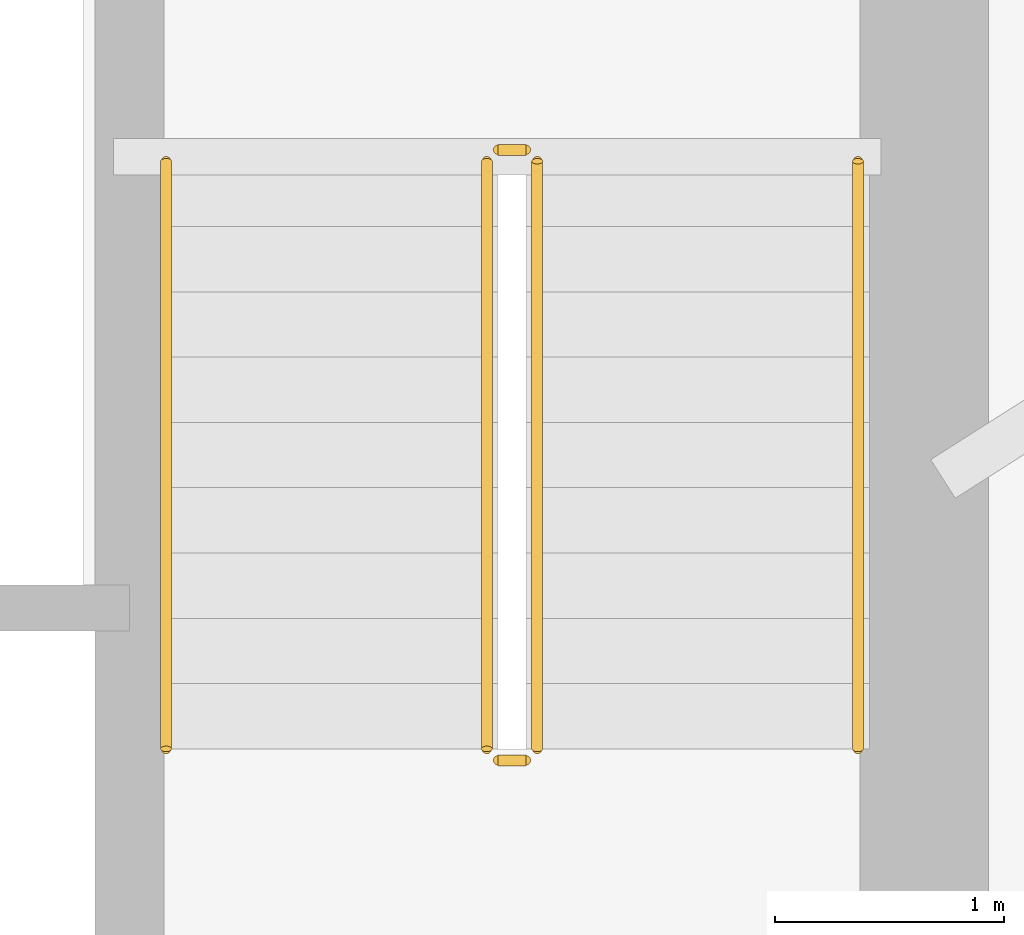
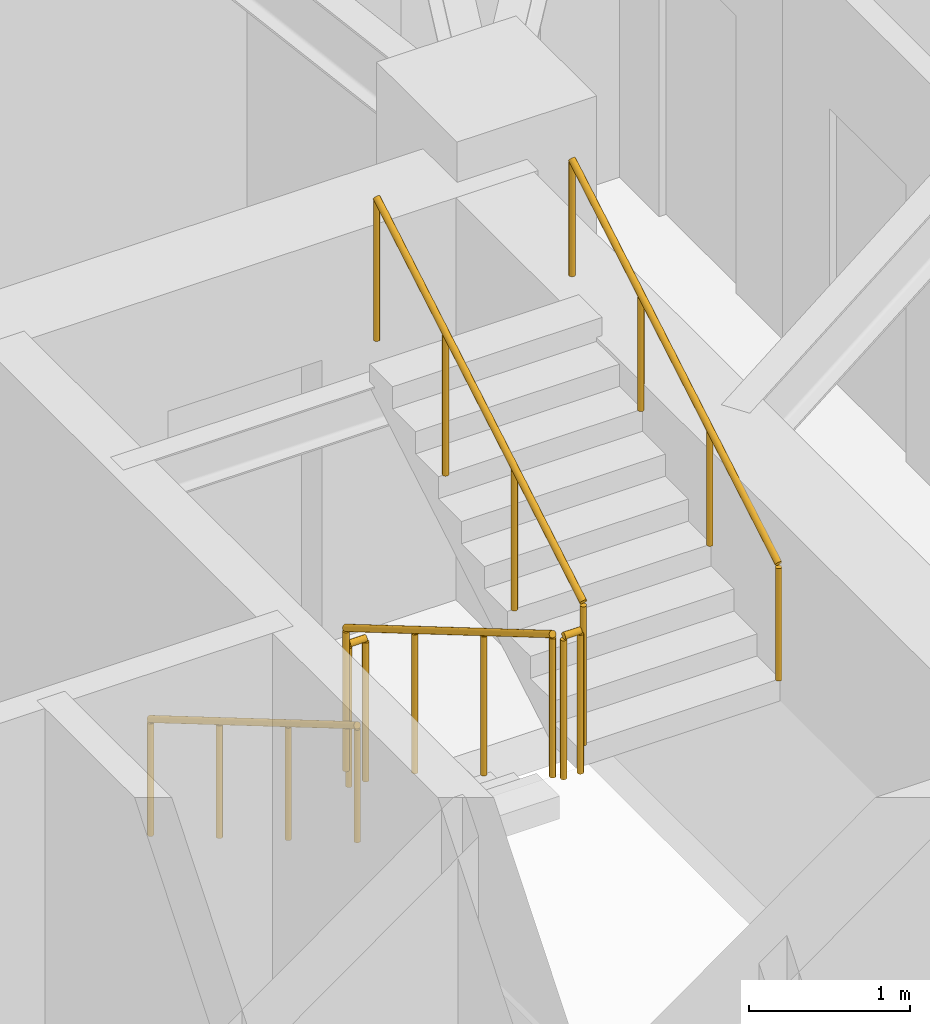
# One storey, part 19 of 19: 6 railings.
"""IFC4 building model written with IfcOpenShell, lengths in metres."""

from ifc_helpers import new_model, si_unit, direction, frame, origin, origin_2d, place, context, subcontext, project, spatial, circle, extrude, material, type_object, element, save


model = new_model("IFC4")

# Units and contexts
model_context = context("Model", 3, precision=1e-05, world=origin(), true_north=direction((0.0, 1.0)))
body_context = subcontext(model_context, "Body", "Model", "MODEL_VIEW")
ifc_project = project(units=[si_unit("LENGTHUNIT", "METRE"), si_unit("AREAUNIT", "SQUARE_METRE"), si_unit("VOLUMEUNIT", "CUBIC_METRE"), si_unit("PLANEANGLEUNIT", "RADIAN"), si_unit("MASSUNIT", "GRAM", prefix="KILO")], contexts=[model_context])

# Site, building, storey
site_placement = place(None, origin())
site = spatial("IfcSite", under=ifc_project, at=site_placement, CompositionType="ELEMENT")
building_placement = place(site_placement, origin())
building = spatial("IfcBuilding", under=site, at=building_placement, Name="Qobustan Lattice House", CompositionType="ELEMENT")
storey_placement = place(building_placement, frame((0.0, 0.0, 85.699951171875)))
storey = spatial("IfcBuildingStorey", under=building, at=storey_placement, Name="L23", CompositionType="ELEMENT", Elevation=85.699951171875)

# Railings
ifc_material_1 = material(Name="Brushed stainless steel handrail", Category="steel")
railing_type_1 = type_object("IfcRailingType", Name="RAL-HR-920", PredefinedType="HANDRAIL", material=ifc_material_1)
railing_1_placement = place(storey_placement, frame((15.179931640625, 3.5, 0.16748046875)))
element("IfcRailing", 1, at=railing_1_placement, inside=storey, type_object=railing_type_1, Name="L23 ST-E1 stair handrail 1", PredefinedType="HANDRAIL", context=body_context, shape_type="SweptSolid", body=[
    extrude(circle(Radius=0.02392578125, at=origin_2d()), frame((0.0, 0.0, 0.8759765625), z_axis=(0.0, -0.862113467892, 0.50671527358), x_axis=(1.0, 0.0, 0.0)), (0.0, 0.0, 1.0), 2.97509765625),
    extrude(circle(Radius=0.02099609375, at=origin_2d()), origin(), (0.0, 0.0, 1.0), 0.851806640625),
    extrude(circle(Radius=0.02099609375, at=origin_2d()), frame((0.0, -0.85498046875, 0.50244140625)), (0.0, 0.0, 1.0), 0.851806640625),
    extrude(circle(Radius=0.02099609375, at=origin_2d()), frame((0.0, -1.7099609375, 1.005126953125)), (0.0, 0.0, 1.0), 0.851806640625),
    extrude(circle(Radius=0.02099609375, at=origin_2d()), frame((0.0, -2.56494140625, 1.507568359375)), (0.0, 0.0, 1.0), 0.851806640625),
])
railing_2_placement = place(storey_placement, frame((18.199951171875, 0.93505859375, 1.842529296875)))
element("IfcRailing", 2, at=railing_2_placement, inside=storey, type_object=railing_type_1, Name="L23 ST-E1 stair handrail 2", PredefinedType="HANDRAIL", context=body_context, shape_type="SweptSolid", body=[
    extrude(circle(Radius=0.02392578125, at=origin_2d()), frame((0.0, 0.0, 0.8759765625), z_axis=(0.0, 0.862113467892, 0.50671527358), x_axis=(-1.0, 0.0, 0.0)), (0.0, 0.0, 1.0), 2.97509765625),
    extrude(circle(Radius=0.02099609375, at=origin_2d()), origin(), (0.0, 0.0, 1.0), 0.851806640625),
    extrude(circle(Radius=0.02099609375, at=origin_2d()), frame((0.0, 0.85498046875, 0.50244140625)), (0.0, 0.0, 1.0), 0.851806640625),
    extrude(circle(Radius=0.02099609375, at=origin_2d()), frame((0.0, 1.7099609375, 1.005126953125)), (0.0, 0.0, 1.0), 0.851806640625),
    extrude(circle(Radius=0.02099609375, at=origin_2d()), frame((0.0, 2.56494140625, 1.507568359375)), (0.0, 0.0, 1.0), 0.851806640625),
])
ifc_material_2 = material(Name="Painted galvanized steel guardrail", Category="steel")
railing_type_2 = type_object("IfcRailingType", Name="RAL-STG-1150", PredefinedType="GUARDRAIL", material=ifc_material_2)
railing_3_placement = place(storey_placement, frame((16.580078125, 3.5, 0.16748046875)))
element("IfcRailing", 3, at=railing_3_placement, inside=storey, type_object=railing_type_2, Name="L23 ST-E1 stair guard 1", PredefinedType="GUARDRAIL", context=body_context, shape_type="SweptSolid", body=[
    extrude(circle(Radius=0.02392578125, at=origin_2d()), frame((0.0, 0.0, 1.076171875), z_axis=(0.0, -0.862113467892, 0.50671527358), x_axis=(1.0, 0.0, 0.0)), (0.0, 0.0, 1.0), 2.97509765625),
    extrude(circle(Radius=0.02099609375, at=origin_2d()), origin(), (0.0, 0.0, 1.0), 1.052001953125),
    extrude(circle(Radius=0.02099609375, at=origin_2d()), frame((0.0, -0.85498046875, 0.50244140625)), (0.0, 0.0, 1.0), 1.052001953125),
    extrude(circle(Radius=0.02099609375, at=origin_2d()), frame((0.0, -1.7099609375, 1.005126953125)), (0.0, 0.0, 1.0), 1.052001953125),
    extrude(circle(Radius=0.02099609375, at=origin_2d()), frame((0.0, -2.56494140625, 1.507568359375)), (0.0, 0.0, 1.0), 1.052001953125),
])
railing_4_placement = place(storey_placement, frame((16.6298828125, 0.885009765625, 1.675048828125)))
element("IfcRailing", 4, at=railing_4_placement, inside=storey, type_object=railing_type_2, Name="L23 ST-E1 stair guard 2", PredefinedType="GUARDRAIL", context=body_context, shape_type="SweptSolid", body=[
    extrude(circle(Radius=0.02392578125, at=origin_2d()), frame((0.0, 0.0, 1.076171875), z_axis=(1.0, 0.0, 0.0), x_axis=(0.0, 1.0, 0.0)), (0.0, 0.0, 1.0), 0.1201171875),
    extrude(circle(Radius=0.02099609375, at=origin_2d()), origin(), (0.0, 0.0, 1.0), 1.052001953125),
    extrude(circle(Radius=0.02099609375, at=origin_2d()), frame((0.1201171875, 0.0, 0.0)), (0.0, 0.0, 1.0), 1.052001953125),
])
railing_5_placement = place(storey_placement, frame((16.800048828125, 0.93505859375, 1.842529296875)))
element("IfcRailing", 5, at=railing_5_placement, inside=storey, type_object=railing_type_2, Name="L23 ST-E1 stair guard 3", PredefinedType="GUARDRAIL", context=body_context, shape_type="SweptSolid", body=[
    extrude(circle(Radius=0.02392578125, at=origin_2d()), frame((0.0, 0.0, 1.076171875), z_axis=(0.0, 0.862113467892, 0.50671527358), x_axis=(-1.0, 0.0, 0.0)), (0.0, 0.0, 1.0), 2.97509765625),
    extrude(circle(Radius=0.02099609375, at=origin_2d()), origin(), (0.0, 0.0, 1.0), 1.052001953125),
    extrude(circle(Radius=0.02099609375, at=origin_2d()), frame((0.0, 0.85498046875, 0.50244140625)), (0.0, 0.0, 1.0), 1.052001953125),
    extrude(circle(Radius=0.02099609375, at=origin_2d()), frame((0.0, 1.7099609375, 1.005126953125)), (0.0, 0.0, 1.0), 1.052001953125),
    extrude(circle(Radius=0.02099609375, at=origin_2d()), frame((0.0, 2.56494140625, 1.507568359375)), (0.0, 0.0, 1.0), 1.052001953125),
])
railing_6_placement = place(storey_placement, frame((16.6298828125, 3.550048828125, 0.0)))
element("IfcRailing", 6, at=railing_6_placement, inside=storey, type_object=railing_type_2, Name="L23 ST-E1 stair guard 4", PredefinedType="GUARDRAIL", context=body_context, shape_type="SweptSolid", body=[
    extrude(circle(Radius=0.02392578125, at=origin_2d()), frame((0.0, 0.0, 1.076171875), z_axis=(1.0, 0.0, 0.0), x_axis=(0.0, 1.0, 0.0)), (0.0, 0.0, 1.0), 0.1201171875),
    extrude(circle(Radius=0.02099609375, at=origin_2d()), origin(), (0.0, 0.0, 1.0), 1.052001953125),
    extrude(circle(Radius=0.02099609375, at=origin_2d()), frame((0.1201171875, 0.0, 0.0)), (0.0, 0.0, 1.0), 1.052001953125),
])

save(model, "model.ifc")
